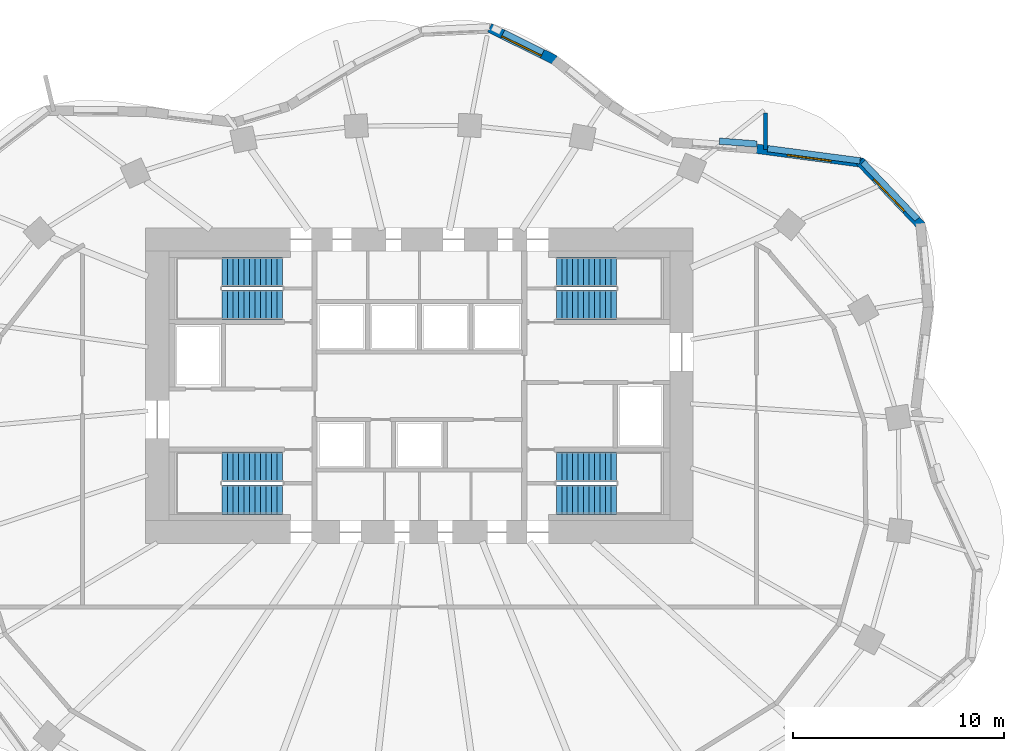
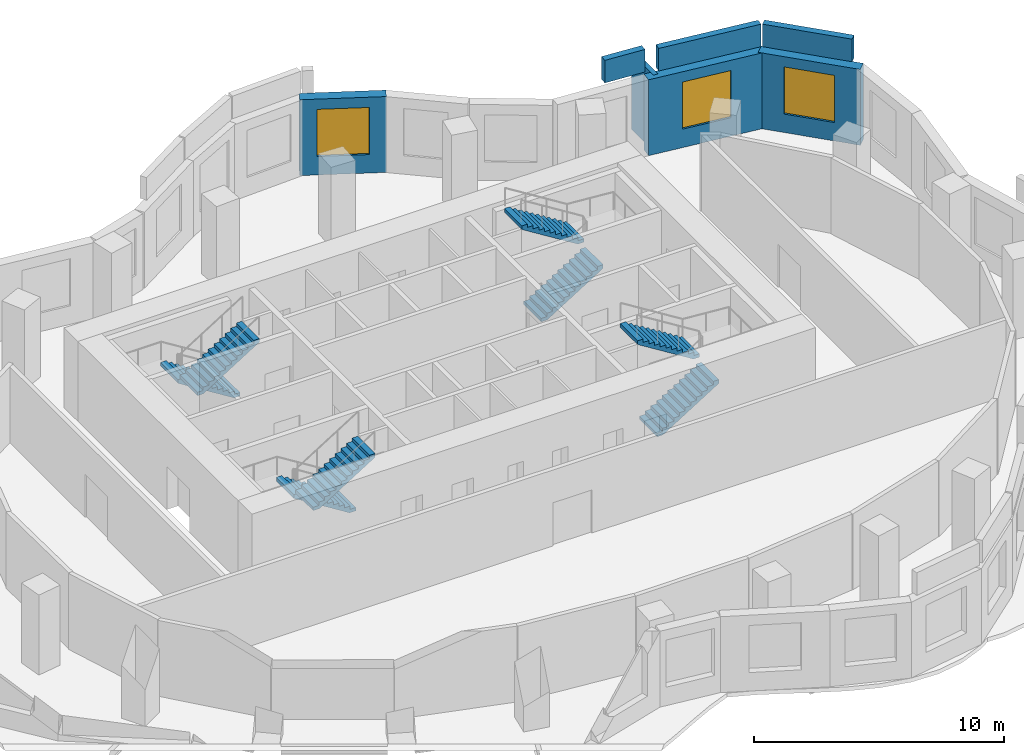
# One storey, part 7 of 8: 8 stair flights, 7 walls, 3 windows, 3 openings, 4 elements without a shape of their own.
"""IFC4 building model written with IfcOpenShell, lengths in metres."""

from ifc_helpers import new_model, si_unit, direction, frame, frame_2d, origin, place, context, subcontext, project, spatial, polyline, rectangle, outline, extrude, material, layer, layer_set, type_object, element, fill, aggregate, save


model = new_model("IFC4")

# Units and contexts
model_context = context("Model", 3, precision=1e-05, world=origin(), true_north=direction((0.0, 1.0)))
body_context = subcontext(model_context, "Body", "Model", "MODEL_VIEW")
ifc_project = project(units=[si_unit("LENGTHUNIT", "METRE"), si_unit("AREAUNIT", "SQUARE_METRE"), si_unit("VOLUMEUNIT", "CUBIC_METRE"), si_unit("PLANEANGLEUNIT", "RADIAN"), si_unit("MASSUNIT", "GRAM", prefix="KILO")], contexts=[model_context])

# Site, building, storey
site_placement = place(None, origin())
site = spatial("IfcSite", under=ifc_project, at=site_placement, CompositionType="ELEMENT")
building_placement = place(site_placement, origin())
building = spatial("IfcBuilding", under=site, at=building_placement, Name="Rubra Terraces Tower", CompositionType="ELEMENT")
storey_placement = place(building_placement, frame((0.0, 0.0, 150.0)))
storey = spatial("IfcBuildingStorey", under=building, at=storey_placement, Name="L36", CompositionType="ELEMENT", Elevation=150.0)

# Wall, opening, window
ifc_material_1 = material(Name="Brick masonry red-brown", Category="masonry")
ifc_layer_1 = layer(ifc_material_1, 0.449951171875)
ifc_layer_set_1 = layer_set([ifc_layer_1], Name="Brick masonry red-brown")
wall_type_1 = type_object("IfcWallType", Name="Brick facade wall 450", PredefinedType="SOLIDWALL", material=ifc_layer_set_1)
wall_1_placement = place(storey_placement, frame((23.84912109375, 12.07958984375, 0.0), z_axis=(0.0, 0.0, 1.0), x_axis=(-0.690057851873, 0.723754213161, 0.0)))
wall_1 = element("IfcWall", 1, at=wall_1_placement, inside=storey, type_object=wall_type_1, Name="Facade wall L36 bay 4", PredefinedType="SOLIDWALL", context=body_context, shape_type="SweptSolid", body=[
    extrude(rectangle(XDim=4.2529296875, YDim=0.449951171875, at=frame_2d((2.12646484375, 0.0))), origin(), (0.0, 0.0, 1.0), 3.699951171875),
])
opening_1_placement = place(wall_1_placement, frame((1.076416015625, 0.0, 0.89990234375)))
opening_1 = element("IfcOpeningElement", 2, at=opening_1_placement, cuts=wall_1, Name="Opening W1B", PredefinedType="OPENING", context=body_context, shape_type="SweptSolid", body=[
    extrude(rectangle(XDim=2.10009765625, YDim=2.300048828125, at=frame_2d((1.050048828125, 1.14990234375))), frame((0.0, 0.23486328125, 0.0), z_axis=(0.0, -1.0, 0.0), x_axis=(1.0, 0.0, 0.0)), (0.0, 0.0, 1.0), 0.469970703125),
])
ifc_material_2 = material(Name="Clear glass in aluminium frame", Category="aluminium")
window_type = type_object("IfcWindowType", Name="Fixed deep-set window tall storey 2100 x 2300", PartitioningType="SINGLE_PANEL", PredefinedType="WINDOW", material=ifc_material_2)
window_1_placement = place(opening_1_placement, origin())
window_1 = element("IfcWindow", 3, at=window_1_placement, inside=storey, type_object=window_type, Name="Window L36 bay 4", OverallHeight=2.300048828125, OverallWidth=2.10009765625, PartitioningType="SINGLE_PANEL", PredefinedType="WINDOW", context=body_context, shape_type="SweptSolid", body=[
    extrude(rectangle(XDim=2.10009765625, YDim=2.300048828125, at=frame_2d((1.050048828125, 1.14990234375))), frame((0.0, 0.135009765625, 0.0), z_axis=(0.0, -1.0, 0.0), x_axis=(1.0, 0.0, 0.0)), (0.0, 0.0, 1.0), 0.06005859375),
])
fill(opening_1, window_1)

wall_2_placement = place(storey_placement, frame((21.043701171875, 15.090576171875, 0.0), z_axis=(0.0, 0.0, 1.0), x_axis=(-0.991409967396, 0.130790965086, 0.0)))
wall_2 = element("IfcWall", 4, at=wall_2_placement, inside=storey, type_object=wall_type_1, Name="Facade wall L36 bay 5", PredefinedType="SOLIDWALL", context=body_context, shape_type="SweptSolid", body=[
    extrude(rectangle(XDim=5.06787109375, YDim=0.449951171875, at=frame_2d((2.533935546875, 0.0))), origin(), (0.0, 0.0, 1.0), 3.699951171875),
])
opening_2_placement = place(wall_2_placement, frame((1.48388671875, 0.0, 0.89990234375)))
opening_2 = element("IfcOpeningElement", 5, at=opening_2_placement, cuts=wall_2, Name="Opening W1B", PredefinedType="OPENING", context=body_context, shape_type="SweptSolid", body=[
    extrude(rectangle(XDim=2.10009765625, YDim=2.300048828125, at=frame_2d((1.050048828125, 1.14990234375))), frame((0.0, 0.23486328125, 0.0), z_axis=(0.0, -1.0, 0.0), x_axis=(1.0, 0.0, 0.0)), (0.0, 0.0, 1.0), 0.469970703125),
])
window_2_placement = place(opening_2_placement, origin())
window_2 = element("IfcWindow", 6, at=window_2_placement, inside=storey, type_object=window_type, Name="Window L36 bay 5", OverallHeight=2.300048828125, OverallWidth=2.10009765625, PartitioningType="SINGLE_PANEL", PredefinedType="WINDOW", context=body_context, shape_type="SweptSolid", body=[
    extrude(rectangle(XDim=2.10009765625, YDim=2.300048828125, at=frame_2d((1.050048828125, 1.14990234375))), frame((0.0, 0.135009765625, 0.0), z_axis=(0.0, -1.0, 0.0), x_axis=(1.0, 0.0, 0.0)), (0.0, 0.0, 1.0), 0.06005859375),
])
fill(opening_2, window_2)

wall_3_placement = place(storey_placement, frame((6.4501953125, 19.958251953125, 0.0), z_axis=(0.0, 0.0, 1.0), x_axis=(-0.896526715328, 0.442989671103, 0.0)))
wall_3 = element("IfcWall", 7, at=wall_3_placement, inside=storey, type_object=wall_type_1, Name="Facade wall L36 bay 9", PredefinedType="SOLIDWALL", context=body_context, shape_type="SweptSolid", body=[
    extrude(rectangle(XDim=3.47216796875, YDim=0.449951171875, at=frame_2d((1.736083984375, 0.0))), origin(), (0.0, 0.0, 1.0), 3.699951171875),
])
opening_3_placement = place(wall_3_placement, frame((0.68603515625, 0.0, 0.89990234375)))
opening_3 = element("IfcOpeningElement", 8, at=opening_3_placement, cuts=wall_3, Name="Opening W1B", PredefinedType="OPENING", context=body_context, shape_type="SweptSolid", body=[
    extrude(rectangle(XDim=2.10009765625, YDim=2.300048828125, at=frame_2d((1.050048828125, 1.14990234375))), frame((0.0, 0.23486328125, 0.0), z_axis=(0.0, -1.0, 0.0), x_axis=(1.0, 0.0, 0.0)), (0.0, 0.0, 1.0), 0.469970703125),
])
window_3_placement = place(opening_3_placement, origin())
window_3 = element("IfcWindow", 9, at=window_3_placement, inside=storey, type_object=window_type, Name="Window L36 bay 9", OverallHeight=2.300048828125, OverallWidth=2.10009765625, PartitioningType="SINGLE_PANEL", PredefinedType="WINDOW", context=body_context, shape_type="SweptSolid", body=[
    extrude(rectangle(XDim=2.10009765625, YDim=2.300048828125, at=frame_2d((1.050048828125, 1.14990234375))), frame((0.0, 0.135009765625, 0.0), z_axis=(0.0, -1.0, 0.0), x_axis=(1.0, 0.0, 0.0)), (0.0, 0.0, 1.0), 0.06005859375),
])
fill(opening_3, window_3)

# Walls
ifc_layer_2 = layer(ifc_material_1, 0.300048828125)
ifc_layer_set_2 = layer_set([ifc_layer_2], Name="Brick masonry red-brown")
wall_type_2 = type_object("IfcWallType", Name="Brick parapet 300", PredefinedType="PARAPET", material=ifc_layer_set_2)
wall_4_placement = place(storey_placement, frame((23.6396484375, 12.408203125, 3.89990234375), z_axis=(0.0, 0.0, 1.0), x_axis=(-0.690141419558, 0.723674526987, 0.0)))
element("IfcWall", 10, at=wall_4_placement, inside=storey, type_object=wall_type_2, Name="Parapet L36 bay 4", PredefinedType="PARAPET", context=body_context, shape_type="SweptSolid", body=[
    extrude(rectangle(XDim=3.73486328125, YDim=0.300048828125, at=frame_2d((1.867431640625, 0.0))), origin(), (0.0, 0.0, 1.0), 1.10009765625),
])
wall_5_placement = place(storey_placement, frame((20.922607421875, 15.18212890625, 3.89990234375), z_axis=(0.0, 0.0, 1.0), x_axis=(-0.991411041714, 0.130782821377, 0.0)))
element("IfcWall", 11, at=wall_5_placement, inside=storey, type_object=wall_type_2, Name="Parapet L36 bay 5", PredefinedType="PARAPET", context=body_context, shape_type="SweptSolid", body=[
    extrude(rectangle(XDim=4.42431640625, YDim=0.300048828125, at=frame_2d((2.212158203125, 0.0))), origin(), (0.0, 0.0, 1.0), 1.10009765625),
])
wall_6_placement = place(storey_placement, frame((16.018798828125, 15.978515625, 3.89990234375), z_axis=(0.0, 0.0, 1.0), x_axis=(-0.99696580474, 0.077840761676, 0.0)))
element("IfcWall", 12, at=wall_6_placement, inside=storey, type_object=wall_type_2, Name="Parapet L36 bay 6", PredefinedType="PARAPET", context=body_context, shape_type="SweptSolid", body=[
    extrude(rectangle(XDim=1.7783203125, YDim=0.300048828125, at=frame_2d((0.88916015625, 0.0))), origin(), (0.0, 0.0, 1.0), 1.10009765625),
])
ifc_layer_3 = layer(ifc_material_1, 0.199951171875)
ifc_layer_set_3 = layer_set([ifc_layer_3], Name="Brick masonry red-brown")
wall_type_3 = type_object("IfcWallType", Name="Brick wind fin 200", PredefinedType="SOLIDWALL", material=ifc_layer_set_3)
wall_7_placement = place(storey_placement, frame((16.43505859375, 15.7119140625, 0.0), z_axis=(0.0, 0.0, 1.0), x_axis=(-0.000279017846, 0.999999961075, 0.0)))
element("IfcWall", 13, at=wall_7_placement, inside=storey, type_object=wall_type_3, Name="Wind fin L36 3", PredefinedType="SOLIDWALL", context=body_context, shape_type="SweptSolid", body=[
    extrude(rectangle(XDim=1.75, YDim=0.199951171875, at=frame_2d((0.875, 0.0))), origin(), (0.0, 0.0, 1.0), 3.699951171875),
])

# Stair, stair flights
ifc_material_3 = material(Name="Concrete C40", Category="concrete")
stair_type = type_object("IfcStairType", Name="Core stair 1400", PredefinedType="HALF_TURN_STAIR", material=ifc_material_3)
stair_1_placement = place(storey_placement, origin())
stair_1 = element("IfcStair", 14, at=stair_1_placement, inside=storey, type_object=stair_type, Name="L36 Exit stair S1", PredefinedType="HALF_TURN_STAIR")
stair_flight_type = type_object("IfcStairFlightType", Name="Core stair flight 1400", PredefinedType="STRAIGHT", material=ifc_material_3)
stair_flight_1_placement = place(storey_placement, frame((-6.5, 0.64990234375, 0.0), z_axis=(0.0, 0.0, 1.0), x_axis=(-1.0, 0.0, 0.0)))
stair_flight_1 = element("IfcStairFlight", 15, at=stair_flight_1_placement, type_object=stair_flight_type, Name="S1 flight 1", NumberOfRisers=12, NumberOfTreads=11, PredefinedType="STRAIGHT", RiserHeight=0.1625, TreadLength=0.26, context=body_context, shape_type="SweptSolid", body=[
    extrude(outline(polyline([(0.0, 0.0), (0.0, 0.16259765625), (0.260009765625, 0.16259765625), (0.260009765625, 0.324951171875), (0.52001953125, 0.324951171875), (0.52001953125, 0.487548828125), (0.780029296875, 0.487548828125), (0.780029296875, 0.64990234375), (1.0400390625, 0.64990234375), (1.0400390625, 0.8125), (1.300048828125, 0.8125), (1.300048828125, 0.97509765625), (1.56005859375, 0.97509765625), (1.56005859375, 1.137451171875), (1.820068359375, 1.137451171875), (1.820068359375, 1.300048828125), (2.080078125, 1.300048828125), (2.080078125, 1.46240234375), (2.340087890625, 1.46240234375), (2.340087890625, 1.625), (2.60009765625, 1.625), (2.60009765625, 1.78759765625), (2.860107421875, 1.78759765625), (2.860107421875, 1.949951171875), (2.860107421875, 1.61083984375), (0.28271484375, 0.0), (0.0, 0.0)])), frame((0.0, 0.699951171875, 0.0), z_axis=(0.0, -1.0, 0.0), x_axis=(1.0, 0.0, 0.0)), (0.0, 0.0, 1.0), 1.39990234375),
])
stair_flight_2_placement = place(storey_placement, frame((-9.360107421875, -0.89990234375, 1.949951171875), z_axis=(0.0, 0.0, 1.0), x_axis=(1.0, 0.0, 0.0)))
stair_flight_2 = element("IfcStairFlight", 16, at=stair_flight_2_placement, type_object=stair_flight_type, Name="S1 flight 2", NumberOfRisers=12, NumberOfTreads=11, PredefinedType="STRAIGHT", RiserHeight=0.1625, TreadLength=0.26, context=body_context, shape_type="SweptSolid", body=[
    extrude(outline(polyline([(0.0, 0.0), (0.0, 0.16259765625), (0.260009765625, 0.16259765625), (0.260009765625, 0.324951171875), (0.52001953125, 0.324951171875), (0.52001953125, 0.487548828125), (0.780029296875, 0.487548828125), (0.780029296875, 0.64990234375), (1.0400390625, 0.64990234375), (1.0400390625, 0.8125), (1.300048828125, 0.8125), (1.300048828125, 0.97509765625), (1.56005859375, 0.97509765625), (1.56005859375, 1.137451171875), (1.820068359375, 1.137451171875), (1.820068359375, 1.300048828125), (2.080078125, 1.300048828125), (2.080078125, 1.46240234375), (2.340087890625, 1.46240234375), (2.340087890625, 1.625), (2.60009765625, 1.625), (2.60009765625, 1.78759765625), (2.860107421875, 1.78759765625), (2.860107421875, 1.949951171875), (2.860107421875, 1.61083984375), (0.28271484375, 0.0), (0.0, 0.0)])), frame((0.0, 0.699951171875, 0.0), z_axis=(0.0, -1.0, 0.0), x_axis=(1.0, 0.0, 0.0)), (0.0, 0.0, 1.0), 1.39990234375),
])
aggregate(stair_1, [stair_flight_1, stair_flight_2])

stair_2_placement = place(storey_placement, origin())
stair_2 = element("IfcStair", 17, at=stair_2_placement, inside=storey, type_object=stair_type, Name="L36 Exit stair S2", PredefinedType="HALF_TURN_STAIR")
stair_flight_3_placement = place(storey_placement, frame((-6.5, 9.89990234375, 0.0), z_axis=(0.0, 0.0, 1.0), x_axis=(-1.0, 0.0, 0.0)))
stair_flight_3 = element("IfcStairFlight", 18, at=stair_flight_3_placement, type_object=stair_flight_type, Name="S2 flight 1", NumberOfRisers=12, NumberOfTreads=11, PredefinedType="STRAIGHT", RiserHeight=0.1625, TreadLength=0.26, context=body_context, shape_type="SweptSolid", body=[
    extrude(outline(polyline([(0.0, 0.0), (0.0, 0.16259765625), (0.260009765625, 0.16259765625), (0.260009765625, 0.324951171875), (0.52001953125, 0.324951171875), (0.52001953125, 0.487548828125), (0.780029296875, 0.487548828125), (0.780029296875, 0.64990234375), (1.0400390625, 0.64990234375), (1.0400390625, 0.8125), (1.300048828125, 0.8125), (1.300048828125, 0.97509765625), (1.56005859375, 0.97509765625), (1.56005859375, 1.137451171875), (1.820068359375, 1.137451171875), (1.820068359375, 1.300048828125), (2.080078125, 1.300048828125), (2.080078125, 1.46240234375), (2.340087890625, 1.46240234375), (2.340087890625, 1.625), (2.60009765625, 1.625), (2.60009765625, 1.78759765625), (2.860107421875, 1.78759765625), (2.860107421875, 1.949951171875), (2.860107421875, 1.61083984375), (0.28271484375, 0.0), (0.0, 0.0)])), frame((0.0, 0.699951171875, 0.0), z_axis=(0.0, -1.0, 0.0), x_axis=(1.0, 0.0, 0.0)), (0.0, 0.0, 1.0), 1.39990234375),
])
stair_flight_4_placement = place(storey_placement, frame((-9.360107421875, 8.35009765625, 1.949951171875), z_axis=(0.0, 0.0, 1.0), x_axis=(1.0, 0.0, 0.0)))
stair_flight_4 = element("IfcStairFlight", 19, at=stair_flight_4_placement, type_object=stair_flight_type, Name="S2 flight 2", NumberOfRisers=12, NumberOfTreads=11, PredefinedType="STRAIGHT", RiserHeight=0.1625, TreadLength=0.26, context=body_context, shape_type="SweptSolid", body=[
    extrude(outline(polyline([(0.0, 0.0), (0.0, 0.16259765625), (0.260009765625, 0.16259765625), (0.260009765625, 0.324951171875), (0.52001953125, 0.324951171875), (0.52001953125, 0.487548828125), (0.780029296875, 0.487548828125), (0.780029296875, 0.64990234375), (1.0400390625, 0.64990234375), (1.0400390625, 0.8125), (1.300048828125, 0.8125), (1.300048828125, 0.97509765625), (1.56005859375, 0.97509765625), (1.56005859375, 1.137451171875), (1.820068359375, 1.137451171875), (1.820068359375, 1.300048828125), (2.080078125, 1.300048828125), (2.080078125, 1.46240234375), (2.340087890625, 1.46240234375), (2.340087890625, 1.625), (2.60009765625, 1.625), (2.60009765625, 1.78759765625), (2.860107421875, 1.78759765625), (2.860107421875, 1.949951171875), (2.860107421875, 1.61083984375), (0.28271484375, 0.0), (0.0, 0.0)])), frame((0.0, 0.699951171875, 0.0), z_axis=(0.0, -1.0, 0.0), x_axis=(1.0, 0.0, 0.0)), (0.0, 0.0, 1.0), 1.39990234375),
])
aggregate(stair_2, [stair_flight_3, stair_flight_4])

stair_3_placement = place(storey_placement, origin())
stair_3 = element("IfcStair", 20, at=stair_3_placement, inside=storey, type_object=stair_type, Name="L36 Exit stair S3", PredefinedType="HALF_TURN_STAIR")
stair_flight_5_placement = place(storey_placement, frame((6.5, 8.35009765625, 0.0), z_axis=(0.0, 0.0, 1.0), x_axis=(1.0, 0.0, 0.0)))
stair_flight_5 = element("IfcStairFlight", 21, at=stair_flight_5_placement, type_object=stair_flight_type, Name="S3 flight 1", NumberOfRisers=12, NumberOfTreads=11, PredefinedType="STRAIGHT", RiserHeight=0.1625, TreadLength=0.26, context=body_context, shape_type="SweptSolid", body=[
    extrude(outline(polyline([(0.0, 0.0), (0.0, 0.16259765625), (0.260009765625, 0.16259765625), (0.260009765625, 0.324951171875), (0.52001953125, 0.324951171875), (0.52001953125, 0.487548828125), (0.780029296875, 0.487548828125), (0.780029296875, 0.64990234375), (1.0400390625, 0.64990234375), (1.0400390625, 0.8125), (1.300048828125, 0.8125), (1.300048828125, 0.97509765625), (1.56005859375, 0.97509765625), (1.56005859375, 1.137451171875), (1.820068359375, 1.137451171875), (1.820068359375, 1.300048828125), (2.080078125, 1.300048828125), (2.080078125, 1.46240234375), (2.340087890625, 1.46240234375), (2.340087890625, 1.625), (2.60009765625, 1.625), (2.60009765625, 1.78759765625), (2.860107421875, 1.78759765625), (2.860107421875, 1.949951171875), (2.860107421875, 1.61083984375), (0.28271484375, 0.0), (0.0, 0.0)])), frame((0.0, 0.699951171875, 0.0), z_axis=(0.0, -1.0, 0.0), x_axis=(1.0, 0.0, 0.0)), (0.0, 0.0, 1.0), 1.39990234375),
])
stair_flight_6_placement = place(storey_placement, frame((9.360107421875, 9.89990234375, 1.949951171875), z_axis=(0.0, 0.0, 1.0), x_axis=(-1.0, 0.0, 0.0)))
stair_flight_6 = element("IfcStairFlight", 22, at=stair_flight_6_placement, type_object=stair_flight_type, Name="S3 flight 2", NumberOfRisers=12, NumberOfTreads=11, PredefinedType="STRAIGHT", RiserHeight=0.1625, TreadLength=0.26, context=body_context, shape_type="SweptSolid", body=[
    extrude(outline(polyline([(0.0, 0.0), (0.0, 0.16259765625), (0.260009765625, 0.16259765625), (0.260009765625, 0.324951171875), (0.52001953125, 0.324951171875), (0.52001953125, 0.487548828125), (0.780029296875, 0.487548828125), (0.780029296875, 0.64990234375), (1.0400390625, 0.64990234375), (1.0400390625, 0.8125), (1.300048828125, 0.8125), (1.300048828125, 0.97509765625), (1.56005859375, 0.97509765625), (1.56005859375, 1.137451171875), (1.820068359375, 1.137451171875), (1.820068359375, 1.300048828125), (2.080078125, 1.300048828125), (2.080078125, 1.46240234375), (2.340087890625, 1.46240234375), (2.340087890625, 1.625), (2.60009765625, 1.625), (2.60009765625, 1.78759765625), (2.860107421875, 1.78759765625), (2.860107421875, 1.949951171875), (2.860107421875, 1.61083984375), (0.28271484375, 0.0), (0.0, 0.0)])), frame((0.0, 0.699951171875, 0.0), z_axis=(0.0, -1.0, 0.0), x_axis=(1.0, 0.0, 0.0)), (0.0, 0.0, 1.0), 1.39990234375),
])
aggregate(stair_3, [stair_flight_5, stair_flight_6])

stair_4_placement = place(storey_placement, origin())
stair_4 = element("IfcStair", 23, at=stair_4_placement, inside=storey, type_object=stair_type, Name="L36 Exit stair S4", PredefinedType="HALF_TURN_STAIR")
stair_flight_7_placement = place(storey_placement, frame((6.5, -0.89990234375, 0.0), z_axis=(0.0, 0.0, 1.0), x_axis=(1.0, 0.0, 0.0)))
stair_flight_7 = element("IfcStairFlight", 24, at=stair_flight_7_placement, type_object=stair_flight_type, Name="S4 flight 1", NumberOfRisers=12, NumberOfTreads=11, PredefinedType="STRAIGHT", RiserHeight=0.1625, TreadLength=0.26, context=body_context, shape_type="SweptSolid", body=[
    extrude(outline(polyline([(0.0, 0.0), (0.0, 0.16259765625), (0.260009765625, 0.16259765625), (0.260009765625, 0.324951171875), (0.52001953125, 0.324951171875), (0.52001953125, 0.487548828125), (0.780029296875, 0.487548828125), (0.780029296875, 0.64990234375), (1.0400390625, 0.64990234375), (1.0400390625, 0.8125), (1.300048828125, 0.8125), (1.300048828125, 0.97509765625), (1.56005859375, 0.97509765625), (1.56005859375, 1.137451171875), (1.820068359375, 1.137451171875), (1.820068359375, 1.300048828125), (2.080078125, 1.300048828125), (2.080078125, 1.46240234375), (2.340087890625, 1.46240234375), (2.340087890625, 1.625), (2.60009765625, 1.625), (2.60009765625, 1.78759765625), (2.860107421875, 1.78759765625), (2.860107421875, 1.949951171875), (2.860107421875, 1.61083984375), (0.28271484375, 0.0), (0.0, 0.0)])), frame((0.0, 0.699951171875, 0.0), z_axis=(0.0, -1.0, 0.0), x_axis=(1.0, 0.0, 0.0)), (0.0, 0.0, 1.0), 1.39990234375),
])
stair_flight_8_placement = place(storey_placement, frame((9.360107421875, 0.64990234375, 1.949951171875), z_axis=(0.0, 0.0, 1.0), x_axis=(-1.0, 0.0, 0.0)))
stair_flight_8 = element("IfcStairFlight", 25, at=stair_flight_8_placement, type_object=stair_flight_type, Name="S4 flight 2", NumberOfRisers=12, NumberOfTreads=11, PredefinedType="STRAIGHT", RiserHeight=0.1625, TreadLength=0.26, context=body_context, shape_type="SweptSolid", body=[
    extrude(outline(polyline([(0.0, 0.0), (0.0, 0.16259765625), (0.260009765625, 0.16259765625), (0.260009765625, 0.324951171875), (0.52001953125, 0.324951171875), (0.52001953125, 0.487548828125), (0.780029296875, 0.487548828125), (0.780029296875, 0.64990234375), (1.0400390625, 0.64990234375), (1.0400390625, 0.8125), (1.300048828125, 0.8125), (1.300048828125, 0.97509765625), (1.56005859375, 0.97509765625), (1.56005859375, 1.137451171875), (1.820068359375, 1.137451171875), (1.820068359375, 1.300048828125), (2.080078125, 1.300048828125), (2.080078125, 1.46240234375), (2.340087890625, 1.46240234375), (2.340087890625, 1.625), (2.60009765625, 1.625), (2.60009765625, 1.78759765625), (2.860107421875, 1.78759765625), (2.860107421875, 1.949951171875), (2.860107421875, 1.61083984375), (0.28271484375, 0.0), (0.0, 0.0)])), frame((0.0, 0.699951171875, 0.0), z_axis=(0.0, -1.0, 0.0), x_axis=(1.0, 0.0, 0.0)), (0.0, 0.0, 1.0), 1.39990234375),
])
aggregate(stair_4, [stair_flight_7, stair_flight_8])

save(model, "model.ifc")
